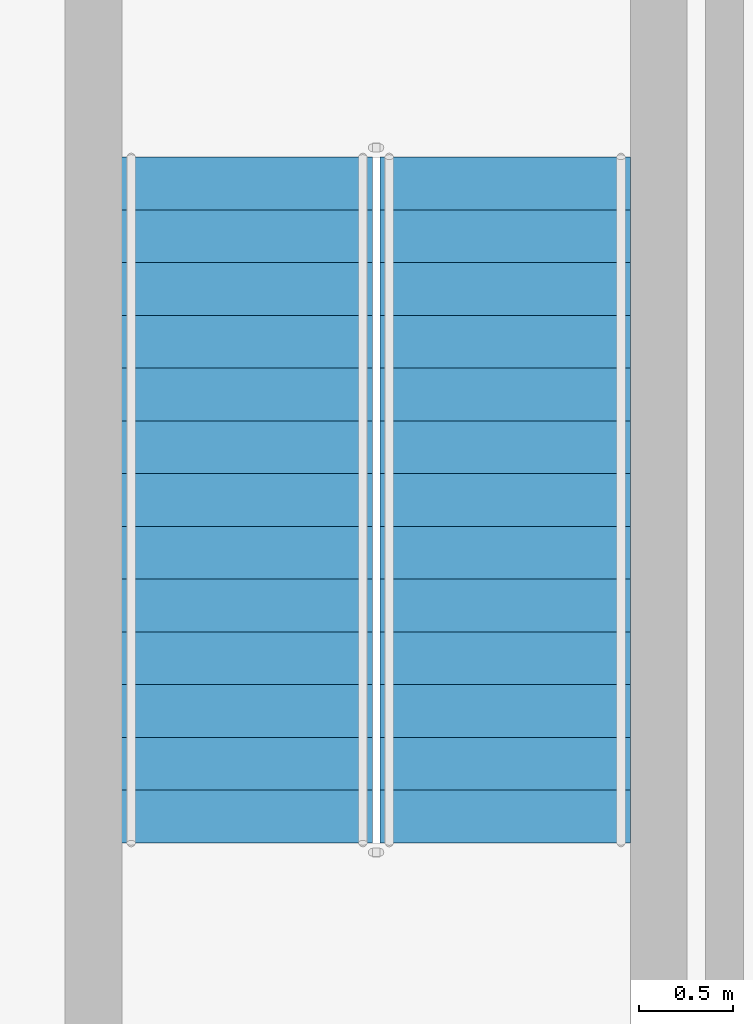
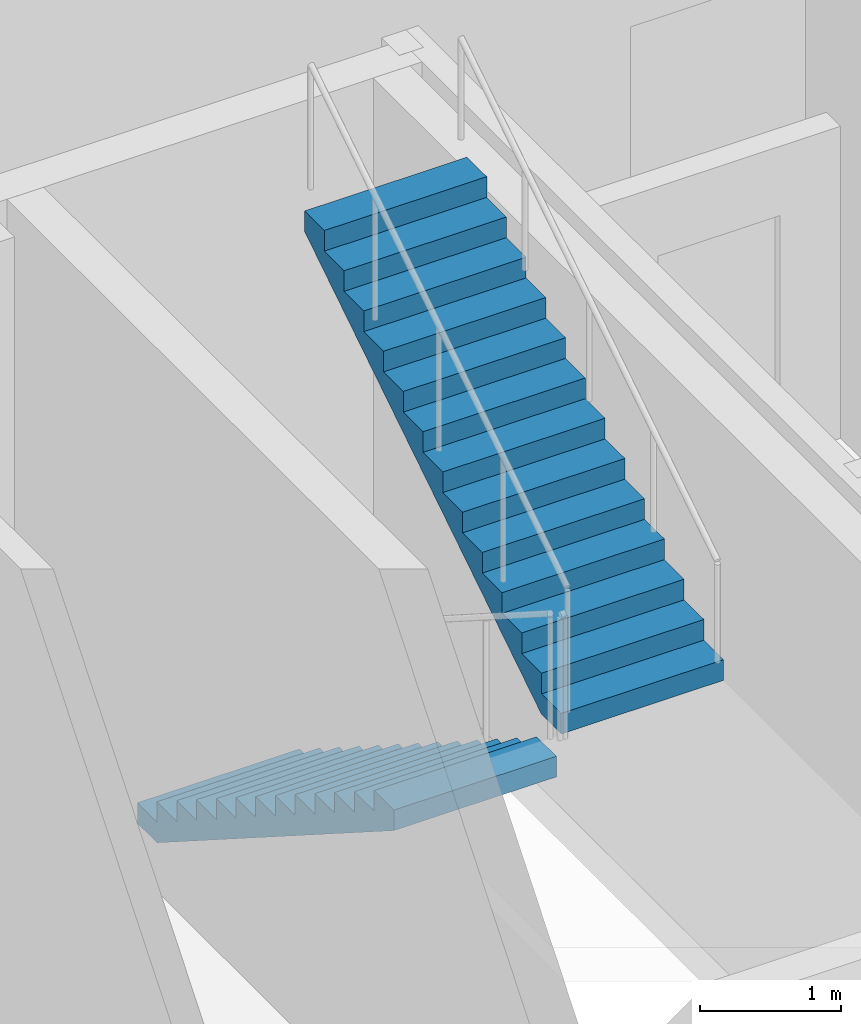
# One storey, part 20 of 35: 2 stair flights, 1 element without a shape of its own.
"""IFC4 building model written with IfcOpenShell, lengths in metres."""

from ifc_helpers import new_model, si_unit, direction, frame, origin, place, context, subcontext, project, spatial, triangles, source, transform, mapped, material, type_object, element, aggregate, save


model = new_model("IFC4")

# Units and contexts
model_context = context("Model", 3, precision=1e-05, world=origin(), true_north=direction((0.0, 1.0)))
body_context = subcontext(model_context, "Body", "Model", "MODEL_VIEW")
ifc_project = project(units=[si_unit("LENGTHUNIT", "METRE"), si_unit("AREAUNIT", "SQUARE_METRE"), si_unit("VOLUMEUNIT", "CUBIC_METRE"), si_unit("PLANEANGLEUNIT", "RADIAN"), si_unit("MASSUNIT", "GRAM", prefix="KILO")], contexts=[model_context])

# Site, building, storey
site_placement = place(None, origin())
site = spatial("IfcSite", under=ifc_project, at=site_placement, CompositionType="ELEMENT")
building_placement = place(site_placement, origin())
building = spatial("IfcBuilding", under=site, at=building_placement, Name="Ogive Portal Towers", CompositionType="ELEMENT")
storey_placement = place(building_placement, frame((0.0, 0.0, 18.5)))
storey = spatial("IfcBuildingStorey", under=building, at=storey_placement, Name="L03", CompositionType="ELEMENT", Elevation=18.5)

# Stair, stair flights
ifc_material = material(Name="Concrete C40/50", Category="concrete")
stair_type = type_object("IfcStairType", Name="INT-STAIR", PredefinedType="HALF_TURN_STAIR", material=ifc_material)
stair_placement = place(storey_placement, origin())
stair = element("IfcStair", 1, at=stair_placement, inside=storey, type_object=stair_type, Name="L03 Exit Stair ST-A4", PredefinedType="HALF_TURN_STAIR")
stair_flight_type = type_object("IfcStairFlightType", Name="INT-FLIGHT", PredefinedType="STRAIGHT", material=ifc_material)
shared_shape = source(origin(), body_context, "Body", "Tessellation", [
    triangles([(0.0, -0.6650390625, 0.0), (0.0, -0.384765625, 0.0), (0.0, -0.197021484375, 0.0), (0.0, -0.0830078125, 0.0), (0.0, -0.024658203125, 0.0), (0.0, -0.003173828125, 0.0), (0.0, 0.0, 0.0), (0.0, 0.003173828125, 0.0), (0.0, 0.024658203125, 0.0), (0.0, 0.0830078125, 0.0), (0.0, 0.197021484375, 0.0), (0.0, 0.384765625, 0.0), (0.0, 0.6650390625, 0.0), (0.0, -0.6650390625, 0.178466796875), (0.0, -0.384765625, 0.178466796875), (0.0, -0.197021484375, 0.178466796875), (0.0, -0.0830078125, 0.178466796875), (0.0, -0.024658203125, 0.178466796875), (0.0, -0.003173828125, 0.178466796875), (0.0, 0.0, 0.178466796875), (0.0, 0.003173828125, 0.178466796875), (0.0, 0.024658203125, 0.178466796875), (0.0, 0.0830078125, 0.178466796875), (0.0, 0.197021484375, 0.178466796875), (0.0, 0.384765625, 0.178466796875), (0.0, 0.6650390625, 0.178466796875), (0.280029296875, -0.6650390625, 0.178466796875), (0.280029296875, -0.384765625, 0.178466796875), (0.280029296875, -0.197021484375, 0.178466796875), (0.280029296875, -0.0830078125, 0.178466796875), (0.280029296875, -0.024658203125, 0.178466796875), (0.280029296875, -0.003173828125, 0.178466796875), (0.280029296875, 0.0, 0.178466796875), (0.280029296875, 0.003173828125, 0.178466796875), (0.280029296875, 0.024658203125, 0.178466796875), (0.280029296875, 0.0830078125, 0.178466796875), (0.280029296875, 0.197021484375, 0.178466796875), (0.280029296875, 0.384765625, 0.178466796875), (0.280029296875, 0.6650390625, 0.178466796875), (0.280029296875, -0.6650390625, 0.357177734375), (0.280029296875, -0.384765625, 0.357177734375), (0.280029296875, -0.197021484375, 0.357177734375), (0.280029296875, -0.0830078125, 0.357177734375), (0.280029296875, -0.024658203125, 0.357177734375), (0.280029296875, -0.003173828125, 0.357177734375), (0.280029296875, 0.0, 0.357177734375), (0.280029296875, 0.003173828125, 0.357177734375), (0.280029296875, 0.024658203125, 0.357177734375), (0.280029296875, 0.0830078125, 0.357177734375), (0.280029296875, 0.197021484375, 0.357177734375), (0.280029296875, 0.384765625, 0.357177734375), (0.280029296875, 0.6650390625, 0.357177734375), (0.56005859375, -0.6650390625, 0.357177734375), (0.56005859375, -0.384765625, 0.357177734375), (0.56005859375, -0.197021484375, 0.357177734375), (0.56005859375, -0.0830078125, 0.357177734375), (0.56005859375, -0.024658203125, 0.357177734375), (0.56005859375, -0.003173828125, 0.357177734375), (0.56005859375, 0.0, 0.357177734375), (0.56005859375, 0.003173828125, 0.357177734375), (0.56005859375, 0.024658203125, 0.357177734375), (0.56005859375, 0.0830078125, 0.357177734375), (0.56005859375, 0.197021484375, 0.357177734375), (0.56005859375, 0.384765625, 0.357177734375), (0.56005859375, 0.6650390625, 0.357177734375), (0.56005859375, -0.6650390625, 0.53564453125), (0.56005859375, -0.384765625, 0.53564453125), (0.56005859375, -0.197021484375, 0.53564453125), (0.56005859375, -0.0830078125, 0.53564453125), (0.56005859375, -0.024658203125, 0.53564453125), (0.56005859375, -0.003173828125, 0.53564453125), (0.56005859375, 0.0, 0.53564453125), (0.56005859375, 0.003173828125, 0.53564453125), (0.56005859375, 0.024658203125, 0.53564453125), (0.56005859375, 0.0830078125, 0.53564453125), (0.56005859375, 0.197021484375, 0.53564453125), (0.56005859375, 0.384765625, 0.53564453125), (0.56005859375, 0.6650390625, 0.53564453125), (0.840087890625, -0.6650390625, 0.53564453125), (0.840087890625, -0.384765625, 0.53564453125), (0.840087890625, -0.197021484375, 0.53564453125), (0.840087890625, -0.0830078125, 0.53564453125), (0.840087890625, -0.024658203125, 0.53564453125), (0.840087890625, -0.003173828125, 0.53564453125), (0.840087890625, 0.0, 0.53564453125), (0.840087890625, 0.003173828125, 0.53564453125), (0.840087890625, 0.024658203125, 0.53564453125), (0.840087890625, 0.0830078125, 0.53564453125), (0.840087890625, 0.197021484375, 0.53564453125), (0.840087890625, 0.384765625, 0.53564453125), (0.840087890625, 0.6650390625, 0.53564453125), (0.840087890625, -0.6650390625, 0.71435546875), (0.840087890625, -0.384765625, 0.71435546875), (0.840087890625, -0.197021484375, 0.71435546875), (0.840087890625, -0.0830078125, 0.71435546875), (0.840087890625, -0.024658203125, 0.71435546875), (0.840087890625, -0.003173828125, 0.71435546875), (0.840087890625, 0.0, 0.71435546875), (0.840087890625, 0.003173828125, 0.71435546875), (0.840087890625, 0.024658203125, 0.71435546875), (0.840087890625, 0.0830078125, 0.71435546875), (0.840087890625, 0.197021484375, 0.71435546875), (0.840087890625, 0.384765625, 0.71435546875), (0.840087890625, 0.6650390625, 0.71435546875), (1.1201171875, -0.6650390625, 0.71435546875), (1.1201171875, -0.384765625, 0.71435546875), (1.1201171875, -0.197021484375, 0.71435546875), (1.1201171875, -0.0830078125, 0.71435546875), (1.1201171875, -0.024658203125, 0.71435546875), (1.1201171875, -0.003173828125, 0.71435546875), (1.1201171875, 0.0, 0.71435546875), (1.1201171875, 0.003173828125, 0.71435546875), (1.1201171875, 0.024658203125, 0.71435546875), (1.1201171875, 0.0830078125, 0.71435546875), (1.1201171875, 0.197021484375, 0.71435546875), (1.1201171875, 0.384765625, 0.71435546875), (1.1201171875, 0.6650390625, 0.71435546875), (1.1201171875, -0.6650390625, 0.892822265625), (1.1201171875, -0.384765625, 0.892822265625), (1.1201171875, -0.197021484375, 0.892822265625), (1.1201171875, -0.0830078125, 0.892822265625), (1.1201171875, -0.024658203125, 0.892822265625), (1.1201171875, -0.003173828125, 0.892822265625), (1.1201171875, 0.0, 0.892822265625), (1.1201171875, 0.003173828125, 0.892822265625), (1.1201171875, 0.024658203125, 0.892822265625), (1.1201171875, 0.0830078125, 0.892822265625), (1.1201171875, 0.197021484375, 0.892822265625), (1.1201171875, 0.384765625, 0.892822265625), (1.1201171875, 0.6650390625, 0.892822265625), (1.39990234375, -0.6650390625, 0.892822265625), (1.39990234375, -0.384765625, 0.892822265625), (1.39990234375, -0.197021484375, 0.892822265625), (1.39990234375, -0.0830078125, 0.892822265625), (1.39990234375, -0.024658203125, 0.892822265625), (1.39990234375, -0.003173828125, 0.892822265625), (1.39990234375, 0.0, 0.892822265625), (1.39990234375, 0.003173828125, 0.892822265625), (1.39990234375, 0.024658203125, 0.892822265625), (1.39990234375, 0.0830078125, 0.892822265625), (1.39990234375, 0.197021484375, 0.892822265625), (1.39990234375, 0.384765625, 0.892822265625), (1.39990234375, 0.6650390625, 0.892822265625), (1.39990234375, -0.6650390625, 1.071533203125), (1.39990234375, -0.384765625, 1.071533203125), (1.39990234375, -0.197021484375, 1.071533203125), (1.39990234375, -0.0830078125, 1.071533203125), (1.39990234375, -0.024658203125, 1.071533203125), (1.39990234375, -0.003173828125, 1.071533203125), (1.39990234375, 0.0, 1.071533203125), (1.39990234375, 0.003173828125, 1.071533203125), (1.39990234375, 0.024658203125, 1.071533203125), (1.39990234375, 0.0830078125, 1.071533203125), (1.39990234375, 0.197021484375, 1.071533203125), (1.39990234375, 0.384765625, 1.071533203125), (1.39990234375, 0.6650390625, 1.071533203125), (1.679931640625, -0.6650390625, 1.071533203125), (1.679931640625, -0.384765625, 1.071533203125), (1.679931640625, -0.197021484375, 1.071533203125), (1.679931640625, -0.0830078125, 1.071533203125), (1.679931640625, -0.024658203125, 1.071533203125), (1.679931640625, -0.003173828125, 1.071533203125), (1.679931640625, 0.0, 1.071533203125), (1.679931640625, 0.003173828125, 1.071533203125), (1.679931640625, 0.024658203125, 1.071533203125), (1.679931640625, 0.0830078125, 1.071533203125), (1.679931640625, 0.197021484375, 1.071533203125), (1.679931640625, 0.384765625, 1.071533203125), (1.679931640625, 0.6650390625, 1.071533203125), (1.679931640625, -0.6650390625, 1.25), (1.679931640625, -0.384765625, 1.25), (1.679931640625, -0.197021484375, 1.25), (1.679931640625, -0.0830078125, 1.25), (1.679931640625, -0.024658203125, 1.25), (1.679931640625, -0.003173828125, 1.25), (1.679931640625, 0.0, 1.25), (1.679931640625, 0.003173828125, 1.25), (1.679931640625, 0.024658203125, 1.25), (1.679931640625, 0.0830078125, 1.25), (1.679931640625, 0.197021484375, 1.25), (1.679931640625, 0.384765625, 1.25), (1.679931640625, 0.6650390625, 1.25), (1.9599609375, -0.6650390625, 1.25), (1.9599609375, -0.384765625, 1.25), (1.9599609375, -0.197021484375, 1.25), (1.9599609375, -0.0830078125, 1.25), (1.9599609375, -0.024658203125, 1.25), (1.9599609375, -0.003173828125, 1.25), (1.9599609375, 0.0, 1.25), (1.9599609375, 0.003173828125, 1.25), (1.9599609375, 0.024658203125, 1.25), (1.9599609375, 0.0830078125, 1.25), (1.9599609375, 0.197021484375, 1.25), (1.9599609375, 0.384765625, 1.25), (1.9599609375, 0.6650390625, 1.25), (1.9599609375, -0.6650390625, 1.428466796875), (1.9599609375, -0.384765625, 1.428466796875), (1.9599609375, -0.197021484375, 1.428466796875), (1.9599609375, -0.0830078125, 1.428466796875), (1.9599609375, -0.024658203125, 1.428466796875), (1.9599609375, -0.003173828125, 1.428466796875), (1.9599609375, 0.0, 1.428466796875), (1.9599609375, 0.003173828125, 1.428466796875), (1.9599609375, 0.024658203125, 1.428466796875), (1.9599609375, 0.0830078125, 1.428466796875), (1.9599609375, 0.197021484375, 1.428466796875), (1.9599609375, 0.384765625, 1.428466796875), (1.9599609375, 0.6650390625, 1.428466796875), (2.239990234375, -0.6650390625, 1.428466796875), (2.239990234375, -0.384765625, 1.428466796875), (2.239990234375, -0.197021484375, 1.428466796875), (2.239990234375, -0.0830078125, 1.428466796875), (2.239990234375, -0.024658203125, 1.428466796875), (2.239990234375, -0.003173828125, 1.428466796875), (2.239990234375, 0.0, 1.428466796875), (2.239990234375, 0.003173828125, 1.428466796875), (2.239990234375, 0.024658203125, 1.428466796875), (2.239990234375, 0.0830078125, 1.428466796875), (2.239990234375, 0.197021484375, 1.428466796875), (2.239990234375, 0.384765625, 1.428466796875), (2.239990234375, 0.6650390625, 1.428466796875), (2.239990234375, -0.6650390625, 1.607177734375), (2.239990234375, -0.384765625, 1.607177734375), (2.239990234375, -0.197021484375, 1.607177734375), (2.239990234375, -0.0830078125, 1.607177734375), (2.239990234375, -0.024658203125, 1.607177734375), (2.239990234375, -0.003173828125, 1.607177734375), (2.239990234375, 0.0, 1.607177734375), (2.239990234375, 0.003173828125, 1.607177734375), (2.239990234375, 0.024658203125, 1.607177734375), (2.239990234375, 0.0830078125, 1.607177734375), (2.239990234375, 0.197021484375, 1.607177734375), (2.239990234375, 0.384765625, 1.607177734375), (2.239990234375, 0.6650390625, 1.607177734375), (2.52001953125, -0.6650390625, 1.607177734375), (2.52001953125, -0.384765625, 1.607177734375), (2.52001953125, -0.197021484375, 1.607177734375), (2.52001953125, -0.0830078125, 1.607177734375), (2.52001953125, -0.024658203125, 1.607177734375), (2.52001953125, -0.003173828125, 1.607177734375), (2.52001953125, 0.0, 1.607177734375), (2.52001953125, 0.003173828125, 1.607177734375), (2.52001953125, 0.024658203125, 1.607177734375), (2.52001953125, 0.0830078125, 1.607177734375), (2.52001953125, 0.197021484375, 1.607177734375), (2.52001953125, 0.384765625, 1.607177734375), (2.52001953125, 0.6650390625, 1.607177734375), (2.52001953125, -0.6650390625, 1.78564453125), (2.52001953125, -0.384765625, 1.78564453125), (2.52001953125, -0.197021484375, 1.78564453125), (2.52001953125, -0.0830078125, 1.78564453125), (2.52001953125, -0.024658203125, 1.78564453125), (2.52001953125, -0.003173828125, 1.78564453125), (2.52001953125, 0.0, 1.78564453125), (2.52001953125, 0.003173828125, 1.78564453125), (2.52001953125, 0.024658203125, 1.78564453125), (2.52001953125, 0.0830078125, 1.78564453125), (2.52001953125, 0.197021484375, 1.78564453125), (2.52001953125, 0.384765625, 1.78564453125), (2.52001953125, 0.6650390625, 1.78564453125), (2.800048828125, -0.6650390625, 1.78564453125), (2.800048828125, -0.384765625, 1.78564453125), (2.800048828125, -0.197021484375, 1.78564453125), (2.800048828125, -0.0830078125, 1.78564453125), (2.800048828125, -0.024658203125, 1.78564453125), (2.800048828125, -0.003173828125, 1.78564453125), (2.800048828125, 0.0, 1.78564453125), (2.800048828125, 0.003173828125, 1.78564453125), (2.800048828125, 0.024658203125, 1.78564453125), (2.800048828125, 0.0830078125, 1.78564453125), (2.800048828125, 0.197021484375, 1.78564453125), (2.800048828125, 0.384765625, 1.78564453125), (2.800048828125, 0.6650390625, 1.78564453125), (2.800048828125, -0.6650390625, 1.96435546875), (2.800048828125, -0.384765625, 1.96435546875), (2.800048828125, -0.197021484375, 1.96435546875), (2.800048828125, -0.0830078125, 1.96435546875), (2.800048828125, -0.024658203125, 1.96435546875), (2.800048828125, -0.003173828125, 1.96435546875), (2.800048828125, 0.0, 1.96435546875), (2.800048828125, 0.003173828125, 1.96435546875), (2.800048828125, 0.024658203125, 1.96435546875), (2.800048828125, 0.0830078125, 1.96435546875), (2.800048828125, 0.197021484375, 1.96435546875), (2.800048828125, 0.384765625, 1.96435546875), (2.800048828125, 0.6650390625, 1.96435546875), (3.080078125, -0.6650390625, 1.96435546875), (3.080078125, -0.384765625, 1.96435546875), (3.080078125, -0.197021484375, 1.96435546875), (3.080078125, -0.0830078125, 1.96435546875), (3.080078125, -0.024658203125, 1.96435546875), (3.080078125, -0.003173828125, 1.96435546875), (3.080078125, 0.0, 1.96435546875), (3.080078125, 0.003173828125, 1.96435546875), (3.080078125, 0.024658203125, 1.96435546875), (3.080078125, 0.0830078125, 1.96435546875), (3.080078125, 0.197021484375, 1.96435546875), (3.080078125, 0.384765625, 1.96435546875), (3.080078125, 0.6650390625, 1.96435546875), (3.080078125, -0.6650390625, 2.142822265625), (3.080078125, -0.384765625, 2.142822265625), (3.080078125, -0.197021484375, 2.142822265625), (3.080078125, -0.0830078125, 2.142822265625), (3.080078125, -0.024658203125, 2.142822265625), (3.080078125, -0.003173828125, 2.142822265625), (3.080078125, 0.0, 2.142822265625), (3.080078125, 0.003173828125, 2.142822265625), (3.080078125, 0.024658203125, 2.142822265625), (3.080078125, 0.0830078125, 2.142822265625), (3.080078125, 0.197021484375, 2.142822265625), (3.080078125, 0.384765625, 2.142822265625), (3.080078125, 0.6650390625, 2.142822265625), (3.360107421875, -0.6650390625, 2.142822265625), (3.360107421875, -0.384765625, 2.142822265625), (3.360107421875, -0.197021484375, 2.142822265625), (3.360107421875, -0.0830078125, 2.142822265625), (3.360107421875, -0.024658203125, 2.142822265625), (3.360107421875, -0.003173828125, 2.142822265625), (3.360107421875, 0.0, 2.142822265625), (3.360107421875, 0.003173828125, 2.142822265625), (3.360107421875, 0.024658203125, 2.142822265625), (3.360107421875, 0.0830078125, 2.142822265625), (3.360107421875, 0.197021484375, 2.142822265625), (3.360107421875, 0.384765625, 2.142822265625), (3.360107421875, 0.6650390625, 2.142822265625), (3.360107421875, -0.6650390625, 2.321533203125), (3.360107421875, -0.384765625, 2.321533203125), (3.360107421875, -0.197021484375, 2.321533203125), (3.360107421875, -0.0830078125, 2.321533203125), (3.360107421875, -0.024658203125, 2.321533203125), (3.360107421875, -0.003173828125, 2.321533203125), (3.360107421875, 0.0, 2.321533203125), (3.360107421875, 0.003173828125, 2.321533203125), (3.360107421875, 0.024658203125, 2.321533203125), (3.360107421875, 0.0830078125, 2.321533203125), (3.360107421875, 0.197021484375, 2.321533203125), (3.360107421875, 0.384765625, 2.321533203125), (3.360107421875, 0.6650390625, 2.321533203125), (3.639892578125, -0.6650390625, 2.321533203125), (3.639892578125, -0.384765625, 2.321533203125), (3.639892578125, -0.197021484375, 2.321533203125), (3.639892578125, -0.0830078125, 2.321533203125), (3.639892578125, -0.024658203125, 2.321533203125), (3.639892578125, -0.003173828125, 2.321533203125), (3.639892578125, 0.0, 2.321533203125), (3.639892578125, 0.003173828125, 2.321533203125), (3.639892578125, 0.024658203125, 2.321533203125), (3.639892578125, 0.0830078125, 2.321533203125), (3.639892578125, 0.197021484375, 2.321533203125), (3.639892578125, 0.384765625, 2.321533203125), (3.639892578125, 0.6650390625, 2.321533203125), (3.639892578125, -0.6650390625, 2.1435546875), (3.639892578125, -0.384765625, 2.1435546875), (3.639892578125, -0.197021484375, 2.1435546875), (3.639892578125, -0.0830078125, 2.1435546875), (3.639892578125, -0.024658203125, 2.1435546875), (3.639892578125, -0.003173828125, 2.1435546875), (3.639892578125, 0.0, 2.1435546875), (3.639892578125, 0.003173828125, 2.1435546875), (3.639892578125, 0.024658203125, 2.1435546875), (3.639892578125, 0.0830078125, 2.1435546875), (3.639892578125, 0.197021484375, 2.1435546875), (3.639892578125, 0.384765625, 2.1435546875), (3.639892578125, 0.6650390625, 2.1435546875), (0.27880859375, -0.6650390625, 0.0), (0.27880859375, -0.384765625, 0.0), (0.27880859375, -0.197021484375, 0.0), (0.27880859375, -0.0830078125, 0.0), (0.27880859375, -0.024658203125, 0.0), (0.27880859375, -0.003173828125, 0.0), (0.27880859375, 0.0, 0.0), (0.27880859375, 0.003173828125, 0.0), (0.27880859375, 0.024658203125, 0.0), (0.27880859375, 0.0830078125, 0.0), (0.27880859375, 0.197021484375, 0.0), (0.27880859375, 0.384765625, 0.0), (0.27880859375, 0.6650390625, 0.0)], [[1, 14, 15], [1, 15, 2], [2, 15, 16], [2, 16, 3], [3, 16, 17], [3, 17, 4], [4, 17, 18], [4, 18, 5], [5, 18, 19], [5, 19, 6], [6, 19, 20], [6, 20, 7], [7, 20, 21], [7, 21, 8], [8, 21, 22], [8, 22, 9], [9, 22, 23], [9, 23, 10], [10, 23, 24], [10, 24, 11], [11, 24, 25], [11, 25, 12], [12, 25, 26], [12, 26, 13], [14, 27, 28], [14, 28, 15], [15, 28, 29], [15, 29, 16], [16, 29, 30], [16, 30, 17], [17, 30, 31], [17, 31, 18], [18, 31, 32], [18, 32, 19], [19, 32, 33], [19, 33, 20], [20, 33, 34], [20, 34, 21], [21, 34, 35], [21, 35, 22], [22, 35, 36], [22, 36, 23], [23, 36, 37], [23, 37, 24], [24, 37, 38], [24, 38, 25], [25, 38, 39], [25, 39, 26], [27, 40, 41], [27, 41, 28], [28, 41, 42], [28, 42, 29], [29, 42, 43], [29, 43, 30], [30, 43, 44], [30, 44, 31], [31, 44, 45], [31, 45, 32], [32, 45, 46], [32, 46, 33], [33, 46, 47], [33, 47, 34], [34, 47, 48], [34, 48, 35], [35, 48, 49], [35, 49, 36], [36, 49, 50], [36, 50, 37], [37, 50, 51], [37, 51, 38], [38, 51, 52], [38, 52, 39], [40, 53, 54], [40, 54, 41], [41, 54, 55], [41, 55, 42], [42, 55, 56], [42, 56, 43], [43, 56, 57], [43, 57, 44], [44, 57, 58], [44, 58, 45], [45, 58, 59], [45, 59, 46], [46, 59, 60], [46, 60, 47], [47, 60, 61], [47, 61, 48], [48, 61, 62], [48, 62, 49], [49, 62, 63], [49, 63, 50], [50, 63, 64], [50, 64, 51], [51, 64, 65], [51, 65, 52], [53, 66, 67], [53, 67, 54], [54, 67, 68], [54, 68, 55], [55, 68, 69], [55, 69, 56], [56, 69, 70], [56, 70, 57], [57, 70, 71], [57, 71, 58], [58, 71, 72], [58, 72, 59], [59, 72, 73], [59, 73, 60], [60, 73, 74], [60, 74, 61], [61, 74, 75], [61, 75, 62], [62, 75, 76], [62, 76, 63], [63, 76, 77], [63, 77, 64], [64, 77, 78], [64, 78, 65], [66, 79, 80], [66, 80, 67], [67, 80, 81], [67, 81, 68], [68, 81, 82], [68, 82, 69], [69, 82, 83], [69, 83, 70], [70, 83, 84], [70, 84, 71], [71, 84, 85], [71, 85, 72], [72, 85, 86], [72, 86, 73], [73, 86, 87], [73, 87, 74], [74, 87, 88], [74, 88, 75], [75, 88, 89], [75, 89, 76], [76, 89, 90], [76, 90, 77], [77, 90, 91], [77, 91, 78], [79, 92, 93], [79, 93, 80], [80, 93, 94], [80, 94, 81], [81, 94, 95], [81, 95, 82], [82, 95, 96], [82, 96, 83], [83, 96, 97], [83, 97, 84], [84, 97, 98], [84, 98, 85], [85, 98, 99], [85, 99, 86], [86, 99, 100], [86, 100, 87], [87, 100, 101], [87, 101, 88], [88, 101, 102], [88, 102, 89], [89, 102, 103], [89, 103, 90], [90, 103, 104], [90, 104, 91], [92, 105, 106], [92, 106, 93], [93, 106, 107], [93, 107, 94], [94, 107, 108], [94, 108, 95], [95, 108, 109], [95, 109, 96], [96, 109, 110], [96, 110, 97], [97, 110, 111], [97, 111, 98], [98, 111, 112], [98, 112, 99], [99, 112, 113], [99, 113, 100], [100, 113, 114], [100, 114, 101], [101, 114, 115], [101, 115, 102], [102, 115, 116], [102, 116, 103], [103, 116, 117], [103, 117, 104], [105, 118, 119], [105, 119, 106], [106, 119, 120], [106, 120, 107], [107, 120, 121], [107, 121, 108], [108, 121, 122], [108, 122, 109], [109, 122, 123], [109, 123, 110], [110, 123, 124], [110, 124, 111], [111, 124, 125], [111, 125, 112], [112, 125, 126], [112, 126, 113], [113, 126, 127], [113, 127, 114], [114, 127, 128], [114, 128, 115], [115, 128, 129], [115, 129, 116], [116, 129, 130], [116, 130, 117], [118, 131, 132], [118, 132, 119], [119, 132, 133], [119, 133, 120], [120, 133, 134], [120, 134, 121], [121, 134, 135], [121, 135, 122], [122, 135, 136], [122, 136, 123], [123, 136, 137], [123, 137, 124], [124, 137, 138], [124, 138, 125], [125, 138, 139], [125, 139, 126], [126, 139, 140], [126, 140, 127], [127, 140, 141], [127, 141, 128], [128, 141, 142], [128, 142, 129], [129, 142, 143], [129, 143, 130], [131, 144, 145], [131, 145, 132], [132, 145, 146], [132, 146, 133], [133, 146, 147], [133, 147, 134], [134, 147, 148], [134, 148, 135], [135, 148, 149], [135, 149, 136], [136, 149, 150], [136, 150, 137], [137, 150, 151], [137, 151, 138], [138, 151, 152], [138, 152, 139], [139, 152, 153], [139, 153, 140], [140, 153, 154], [140, 154, 141], [141, 154, 155], [141, 155, 142], [142, 155, 156], [142, 156, 143], [144, 157, 158], [144, 158, 145], [145, 158, 159], [145, 159, 146], [146, 159, 160], [146, 160, 147], [147, 160, 161], [147, 161, 148], [148, 161, 162], [148, 162, 149], [149, 162, 163], [149, 163, 150], [150, 163, 164], [150, 164, 151], [151, 164, 165], [151, 165, 152], [152, 165, 166], [152, 166, 153], [153, 166, 167], [153, 167, 154], [154, 167, 168], [154, 168, 155], [155, 168, 169], [155, 169, 156], [157, 170, 171], [157, 171, 158], [158, 171, 172], [158, 172, 159], [159, 172, 173], [159, 173, 160], [160, 173, 174], [160, 174, 161], [161, 174, 175], [161, 175, 162], [162, 175, 176], [162, 176, 163], [163, 176, 177], [163, 177, 164], [164, 177, 178], [164, 178, 165], [165, 178, 179], [165, 179, 166], [166, 179, 180], [166, 180, 167], [167, 180, 181], [167, 181, 168], [168, 181, 182], [168, 182, 169], [170, 183, 184], [170, 184, 171], [171, 184, 185], [171, 185, 172], [172, 185, 186], [172, 186, 173], [173, 186, 187], [173, 187, 174], [174, 187, 188], [174, 188, 175], [175, 188, 189], [175, 189, 176], [176, 189, 190], [176, 190, 177], [177, 190, 191], [177, 191, 178], [178, 191, 192], [178, 192, 179], [179, 192, 193], [179, 193, 180], [180, 193, 194], [180, 194, 181], [181, 194, 195], [181, 195, 182], [183, 196, 197], [183, 197, 184], [184, 197, 198], [184, 198, 185], [185, 198, 199], [185, 199, 186], [186, 199, 200], [186, 200, 187], [187, 200, 201], [187, 201, 188], [188, 201, 202], [188, 202, 189], [189, 202, 203], [189, 203, 190], [190, 203, 204], [190, 204, 191], [191, 204, 205], [191, 205, 192], [192, 205, 206], [192, 206, 193], [193, 206, 207], [193, 207, 194], [194, 207, 208], [194, 208, 195], [196, 209, 210], [196, 210, 197], [197, 210, 211], [197, 211, 198], [198, 211, 212], [198, 212, 199], [199, 212, 213], [199, 213, 200], [200, 213, 214], [200, 214, 201], [201, 214, 215], [201, 215, 202], [202, 215, 216], [202, 216, 203], [203, 216, 217], [203, 217, 204], [204, 217, 218], [204, 218, 205], [205, 218, 219], [205, 219, 206], [206, 219, 220], [206, 220, 207], [207, 220, 221], [207, 221, 208], [209, 222, 223], [209, 223, 210], [210, 223, 224], [210, 224, 211], [211, 224, 225], [211, 225, 212], [212, 225, 226], [212, 226, 213], [213, 226, 227], [213, 227, 214], [214, 227, 228], [214, 228, 215], [215, 228, 229], [215, 229, 216], [216, 229, 230], [216, 230, 217], [217, 230, 231], [217, 231, 218], [218, 231, 232], [218, 232, 219], [219, 232, 233], [219, 233, 220], [220, 233, 234], [220, 234, 221], [222, 235, 236], [222, 236, 223], [223, 236, 237], [223, 237, 224], [224, 237, 238], [224, 238, 225], [225, 238, 239], [225, 239, 226], [226, 239, 240], [226, 240, 227], [227, 240, 241], [227, 241, 228], [228, 241, 242], [228, 242, 229], [229, 242, 243], [229, 243, 230], [230, 243, 244], [230, 244, 231], [231, 244, 245], [231, 245, 232], [232, 245, 246], [232, 246, 233], [233, 246, 247], [233, 247, 234], [235, 248, 249], [235, 249, 236], [236, 249, 250], [236, 250, 237], [237, 250, 251], [237, 251, 238], [238, 251, 252], [238, 252, 239], [239, 252, 253], [239, 253, 240], [240, 253, 254], [240, 254, 241], [241, 254, 255], [241, 255, 242], [242, 255, 256], [242, 256, 243], [243, 256, 257], [243, 257, 244], [244, 257, 258], [244, 258, 245], [245, 258, 259], [245, 259, 246], [246, 259, 260], [246, 260, 247], [248, 261, 262], [248, 262, 249], [249, 262, 263], [249, 263, 250], [250, 263, 264], [250, 264, 251], [251, 264, 265], [251, 265, 252], [252, 265, 266], [252, 266, 253], [253, 266, 267], [253, 267, 254], [254, 267, 268], [254, 268, 255], [255, 268, 269], [255, 269, 256], [256, 269, 270], [256, 270, 257], [257, 270, 271], [257, 271, 258], [258, 271, 272], [258, 272, 259], [259, 272, 273], [259, 273, 260], [261, 274, 275], [261, 275, 262], [262, 275, 276], [262, 276, 263], [263, 276, 277], [263, 277, 264], [264, 277, 278], [264, 278, 265], [265, 278, 279], [265, 279, 266], [266, 279, 280], [266, 280, 267], [267, 280, 281], [267, 281, 268], [268, 281, 282], [268, 282, 269], [269, 282, 283], [269, 283, 270], [270, 283, 284], [270, 284, 271], [271, 284, 285], [271, 285, 272], [272, 285, 286], [272, 286, 273], [274, 287, 288], [274, 288, 275], [275, 288, 289], [275, 289, 276], [276, 289, 290], [276, 290, 277], [277, 290, 291], [277, 291, 278], [278, 291, 292], [278, 292, 279], [279, 292, 293], [279, 293, 280], [280, 293, 294], [280, 294, 281], [281, 294, 295], [281, 295, 282], [282, 295, 296], [282, 296, 283], [283, 296, 297], [283, 297, 284], [284, 297, 298], [284, 298, 285], [285, 298, 299], [285, 299, 286], [287, 300, 301], [287, 301, 288], [288, 301, 302], [288, 302, 289], [289, 302, 303], [289, 303, 290], [290, 303, 304], [290, 304, 291], [291, 304, 305], [291, 305, 292], [292, 305, 306], [292, 306, 293], [293, 306, 307], [293, 307, 294], [294, 307, 308], [294, 308, 295], [295, 308, 309], [295, 309, 296], [296, 309, 310], [296, 310, 297], [297, 310, 311], [297, 311, 298], [298, 311, 312], [298, 312, 299], [300, 313, 314], [300, 314, 301], [301, 314, 315], [301, 315, 302], [302, 315, 316], [302, 316, 303], [303, 316, 317], [303, 317, 304], [304, 317, 318], [304, 318, 305], [305, 318, 319], [305, 319, 306], [306, 319, 320], [306, 320, 307], [307, 320, 321], [307, 321, 308], [308, 321, 322], [308, 322, 309], [309, 322, 323], [309, 323, 310], [310, 323, 324], [310, 324, 311], [311, 324, 325], [311, 325, 312], [313, 326, 327], [313, 327, 314], [314, 327, 328], [314, 328, 315], [315, 328, 329], [315, 329, 316], [316, 329, 330], [316, 330, 317], [317, 330, 331], [317, 331, 318], [318, 331, 332], [318, 332, 319], [319, 332, 333], [319, 333, 320], [320, 333, 334], [320, 334, 321], [321, 334, 335], [321, 335, 322], [322, 335, 336], [322, 336, 323], [323, 336, 337], [323, 337, 324], [324, 337, 338], [324, 338, 325], [326, 339, 340], [326, 340, 327], [327, 340, 341], [327, 341, 328], [328, 341, 342], [328, 342, 329], [329, 342, 343], [329, 343, 330], [330, 343, 344], [330, 344, 331], [331, 344, 345], [331, 345, 332], [332, 345, 346], [332, 346, 333], [333, 346, 347], [333, 347, 334], [334, 347, 348], [334, 348, 335], [335, 348, 349], [335, 349, 336], [336, 349, 350], [336, 350, 337], [337, 350, 351], [337, 351, 338], [339, 352, 353], [339, 353, 340], [340, 353, 354], [340, 354, 341], [341, 354, 355], [341, 355, 342], [342, 355, 356], [342, 356, 343], [343, 356, 357], [343, 357, 344], [344, 357, 358], [344, 358, 345], [345, 358, 359], [345, 359, 346], [346, 359, 360], [346, 360, 347], [347, 360, 361], [347, 361, 348], [348, 361, 362], [348, 362, 349], [349, 362, 363], [349, 363, 350], [350, 363, 364], [350, 364, 351], [352, 365, 366], [352, 366, 353], [353, 366, 367], [353, 367, 354], [354, 367, 368], [354, 368, 355], [355, 368, 369], [355, 369, 356], [356, 369, 370], [356, 370, 357], [357, 370, 371], [357, 371, 358], [358, 371, 372], [358, 372, 359], [359, 372, 373], [359, 373, 360], [360, 373, 374], [360, 374, 361], [361, 374, 375], [361, 375, 362], [362, 375, 376], [362, 376, 363], [363, 376, 377], [363, 377, 364], [365, 1, 2], [365, 2, 366], [366, 2, 3], [366, 3, 367], [367, 3, 4], [367, 4, 368], [368, 4, 5], [368, 5, 369], [369, 5, 6], [369, 6, 370], [370, 6, 7], [370, 7, 371], [371, 7, 8], [371, 8, 372], [372, 8, 9], [372, 9, 373], [373, 9, 10], [373, 10, 374], [374, 10, 11], [374, 11, 375], [375, 11, 12], [375, 12, 376], [376, 12, 13], [376, 13, 377], [1, 365, 352], [13, 364, 377], [352, 339, 326], [364, 338, 351], [352, 326, 313], [364, 325, 338], [313, 300, 287], [325, 299, 312], [352, 313, 287], [364, 299, 325], [287, 274, 261], [299, 273, 286], [352, 287, 261], [364, 273, 299], [261, 248, 235], [273, 247, 260], [352, 261, 235], [364, 247, 273], [235, 222, 209], [247, 221, 234], [352, 235, 209], [364, 221, 247], [209, 196, 183], [221, 195, 208], [352, 209, 183], [364, 195, 221], [183, 170, 157], [195, 169, 182], [352, 183, 157], [364, 169, 195], [157, 144, 131], [169, 143, 156], [352, 157, 131], [364, 143, 169], [131, 118, 105], [143, 117, 130], [352, 131, 105], [364, 117, 143], [105, 92, 79], [117, 91, 104], [352, 105, 79], [364, 91, 117], [79, 66, 53], [91, 65, 78], [352, 79, 53], [364, 65, 91], [53, 40, 27], [65, 39, 52], [352, 53, 27], [364, 39, 65], [1, 352, 27], [13, 39, 364], [27, 14, 1], [39, 13, 26]], closed=True),
])
stair_flight_1_placement = place(storey_placement, frame((87.6650390625, 29.169921875, 0.0), z_axis=(0.0, 0.0, 1.0), x_axis=(0.0, -1.0, 0.0)))
stair_flight_1 = element("IfcStairFlight", 2, at=stair_flight_1_placement, type_object=stair_flight_type, Name="ST-A4 flight 1", NumberOfRisers=14, NumberOfTreads=13, PredefinedType="STRAIGHT", RiserHeight=0.178571429, TreadLength=0.28, context=body_context, shape_type="MappedRepresentation", body=[
    mapped(shared_shape, transform((0.0, 0.0, 0.0), scale=1.0)),
])
stair_flight_2_placement = place(storey_placement, frame((89.034912109375, 25.530029296875, 2.5), z_axis=(0.0, 0.0, 1.0), x_axis=(0.0, 1.0, 0.0)))
stair_flight_2 = element("IfcStairFlight", 3, at=stair_flight_2_placement, type_object=stair_flight_type, Name="ST-A4 flight 2", NumberOfRisers=14, NumberOfTreads=13, PredefinedType="STRAIGHT", RiserHeight=0.178571429, TreadLength=0.28, context=body_context, shape_type="MappedRepresentation", body=[
    mapped(shared_shape, transform((0.0, 0.0, 0.0), scale=1.0)),
])
aggregate(stair, [stair_flight_1, stair_flight_2])

save(model, "model.ifc")
